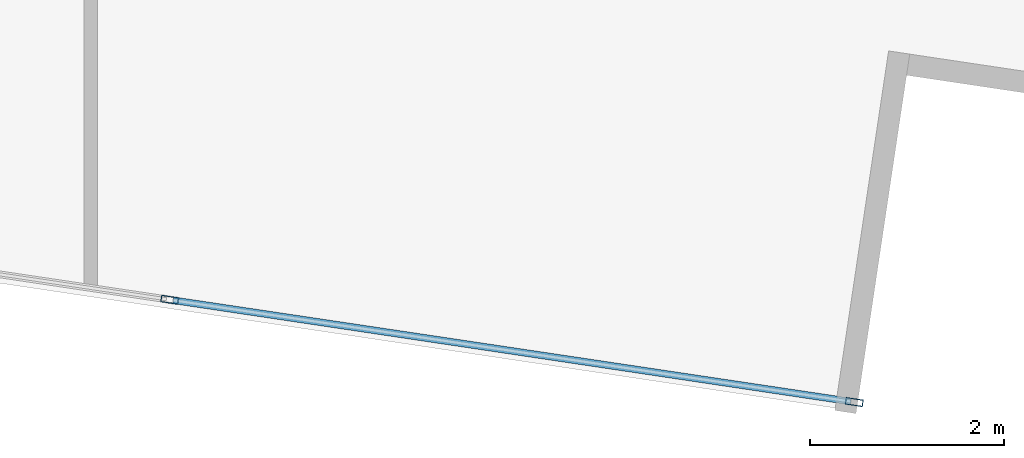
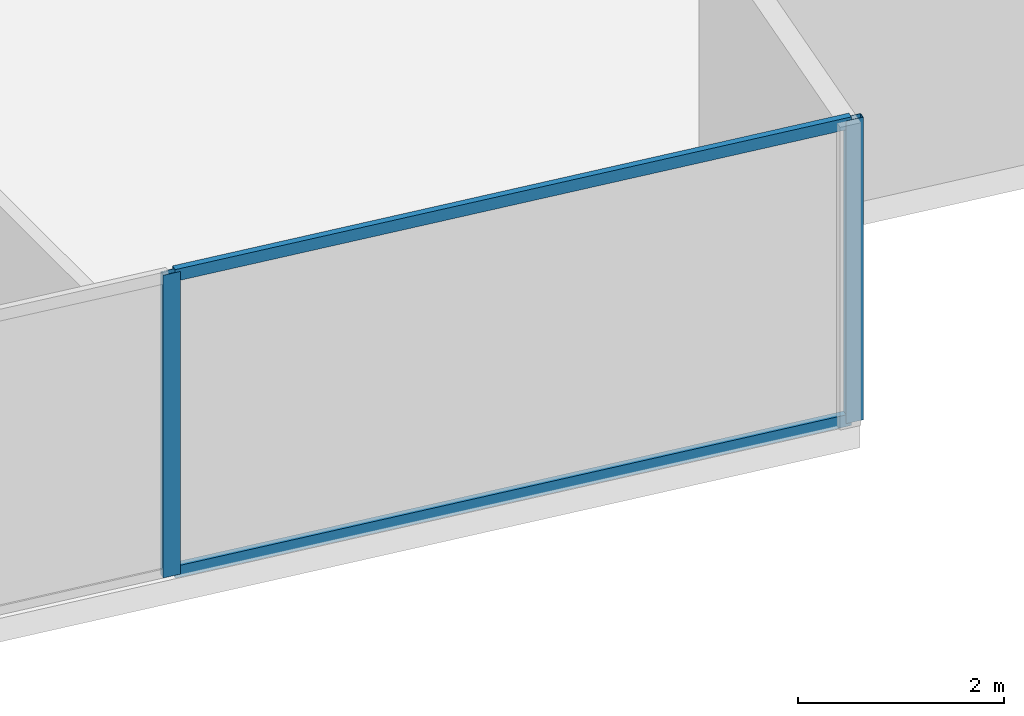
# One storey, part 10 of 29: 4 members, 1 element without a shape of its own.
"""IFC4 building model written with IfcOpenShell, lengths in metres."""

from ifc_helpers import new_model, si_unit, direction, frame, origin, origin_2d, place, context, subcontext, project, spatial, hollow_rectangle, extrude, source, transform, mapped, material, material_profile, profile_set, type_object, type_shapes, element, aggregate, save


model = new_model("IFC4")

# Units and contexts
model_context = context("Model", 3, precision=1e-05, world=origin(), true_north=direction((0.0, 1.0)))
body_context = subcontext(model_context, "Body", "Model", "MODEL_VIEW")
ifc_project = project(units=[si_unit("LENGTHUNIT", "METRE"), si_unit("AREAUNIT", "SQUARE_METRE"), si_unit("VOLUMEUNIT", "CUBIC_METRE"), si_unit("PLANEANGLEUNIT", "RADIAN"), si_unit("MASSUNIT", "GRAM", prefix="KILO")], contexts=[model_context])

# Site, building, storey
site_placement = place(None, origin())
site = spatial("IfcSite", under=ifc_project, at=site_placement, CompositionType="ELEMENT")
building_placement = place(site_placement, origin())
building = spatial("IfcBuilding", under=site, at=building_placement, Name="Krantzveldt Concourse Tower", CompositionType="ELEMENT")
storey_placement = place(building_placement, frame((0.0, 0.0, 76.35009765625)))
storey = spatial("IfcBuildingStorey", under=building, at=storey_placement, Name="L18", CompositionType="ELEMENT", Elevation=76.35009765625)

# Curtain wall, members
ifc_material = material(Name="Anodised aluminium 6063-T6", Category="aluminium")
curtain_wall_type = type_object("IfcCurtainWallType", Name="CW2", PredefinedType="USERDEFINED", material=ifc_material)
curtain_wall_placement = place(storey_placement, origin())
curtain_wall = element("IfcCurtainWall", 1, at=curtain_wall_placement, inside=storey, type_object=curtain_wall_type, Name="CW-L18-F04", ObjectType="UNITISED CURTAIN WALL", PredefinedType="USERDEFINED")
ifc_material_profile_1 = material_profile(ifc_material, hollow_rectangle(XDim=0.070068359375, YDim=0.139892578125, WallThickness=0.0048828125, at=origin_2d()), Name="Anodised aluminium 6063-T6", Category="aluminium")
ifc_profile_set_1 = profile_set([ifc_material_profile_1], Name="Anodised aluminium 6063-T6 - ALU-TRAN 140x70x5")
member_type_1 = type_object("IfcMemberType", Name="CW-TRN-150", PredefinedType="USERDEFINED", material=ifc_profile_set_1)
shared_shape_1 = source(origin(), body_context, "Body", "SweptSolid", [
    extrude(hollow_rectangle(XDim=0.070068359375, YDim=0.139892578125, WallThickness=0.0048828125, at=origin_2d()), origin(), (0.0, 0.0, 1.0), 7.061767578125),
])
type_shapes(member_type_1, [shared_shape_1])
member_1_placement = place(storey_placement, frame((46.528564453125, -0.06005859375, 0.034912109375), z_axis=(0.989012551714, -0.147831568187, 0.0), x_axis=(0.147831568187, 0.989012551714, 0.0)))
member_1 = element("IfcMember", 2, at=member_1_placement, type_object=member_type_1, Name="CW-Z12 transom 6.1", ObjectType="TRANSOM", PredefinedType="USERDEFINED", context=body_context, shape_type="MappedRepresentation", body=[
    mapped(shared_shape_1, transform((0.0, 0.0, 0.0), x_axis=(1.0, 0.0, 0.0), y_axis=(0.0, 1.0, 0.0), z_axis=(0.0, 0.0, 1.0), scale=1.0)),
])
member_2_placement = place(storey_placement, frame((46.528564453125, -0.06005859375, 3.554931640625), z_axis=(0.989012551714, -0.147831568187, 0.0), x_axis=(0.147831568187, 0.989012551714, 0.0)))
member_2 = element("IfcMember", 3, at=member_2_placement, type_object=member_type_1, Name="CW-Z12 transom 6.2", ObjectType="TRANSOM", PredefinedType="USERDEFINED", context=body_context, shape_type="MappedRepresentation", body=[
    mapped(shared_shape_1, transform((0.0, 0.0, 0.0), x_axis=(1.0, 0.0, 0.0), y_axis=(0.0, 1.0, 0.0), z_axis=(0.0, 0.0, 1.0), scale=1.0)),
])
ifc_material_profile_2 = material_profile(ifc_material, hollow_rectangle(XDim=0.070068359375, YDim=0.179931640625, WallThickness=0.0048828125, at=origin_2d()), Name="Anodised aluminium 6063-T6", Category="aluminium")
ifc_profile_set_2 = profile_set([ifc_material_profile_2], Name="Anodised aluminium 6063-T6 - ALU-MULL 180x70x5")
member_type_2 = type_object("IfcMemberType", Name="CW-MUL-180", PredefinedType="MULLION", material=ifc_profile_set_2)
shared_shape_2 = source(origin(), body_context, "Body", "SweptSolid", [
    extrude(hollow_rectangle(XDim=0.070068359375, YDim=0.179931640625, WallThickness=0.0048828125, at=origin_2d()), origin(), (0.0, 0.0, 1.0), 3.58984375),
])
type_shapes(member_type_2, [shared_shape_2])
member_3_placement = place(storey_placement, frame((46.493896484375, -0.054931640625, 0.0), z_axis=(0.0, 0.0, 1.0), x_axis=(0.147809505412, 0.989015849271, 0.0)))
member_3 = element("IfcMember", 4, at=member_3_placement, type_object=member_type_2, Name="CW-Z12 mullion 6", PredefinedType="MULLION", context=body_context, shape_type="MappedRepresentation", body=[
    mapped(shared_shape_2, transform((0.0, 0.0, 0.0), x_axis=(1.0, 0.0, 0.0), y_axis=(0.0, 1.0, 0.0), z_axis=(0.0, 0.0, 1.0), scale=1.0)),
])
member_4_placement = place(storey_placement, frame((53.54736328125, -1.109130859375, 0.0), z_axis=(0.0, 0.0, 1.0), x_axis=(0.147809505412, 0.989015849271, 0.0)))
member_4 = element("IfcMember", 5, at=member_4_placement, type_object=member_type_2, Name="CW-Z12 mullion 7", PredefinedType="MULLION", context=body_context, shape_type="MappedRepresentation", body=[
    mapped(shared_shape_2, transform((0.0, 0.0, 0.0), x_axis=(1.0, 0.0, 0.0), y_axis=(0.0, 1.0, 0.0), z_axis=(0.0, 0.0, 1.0), scale=1.0)),
])
aggregate(curtain_wall, [member_3, member_4, member_1, member_2])

save(model, "model.ifc")
